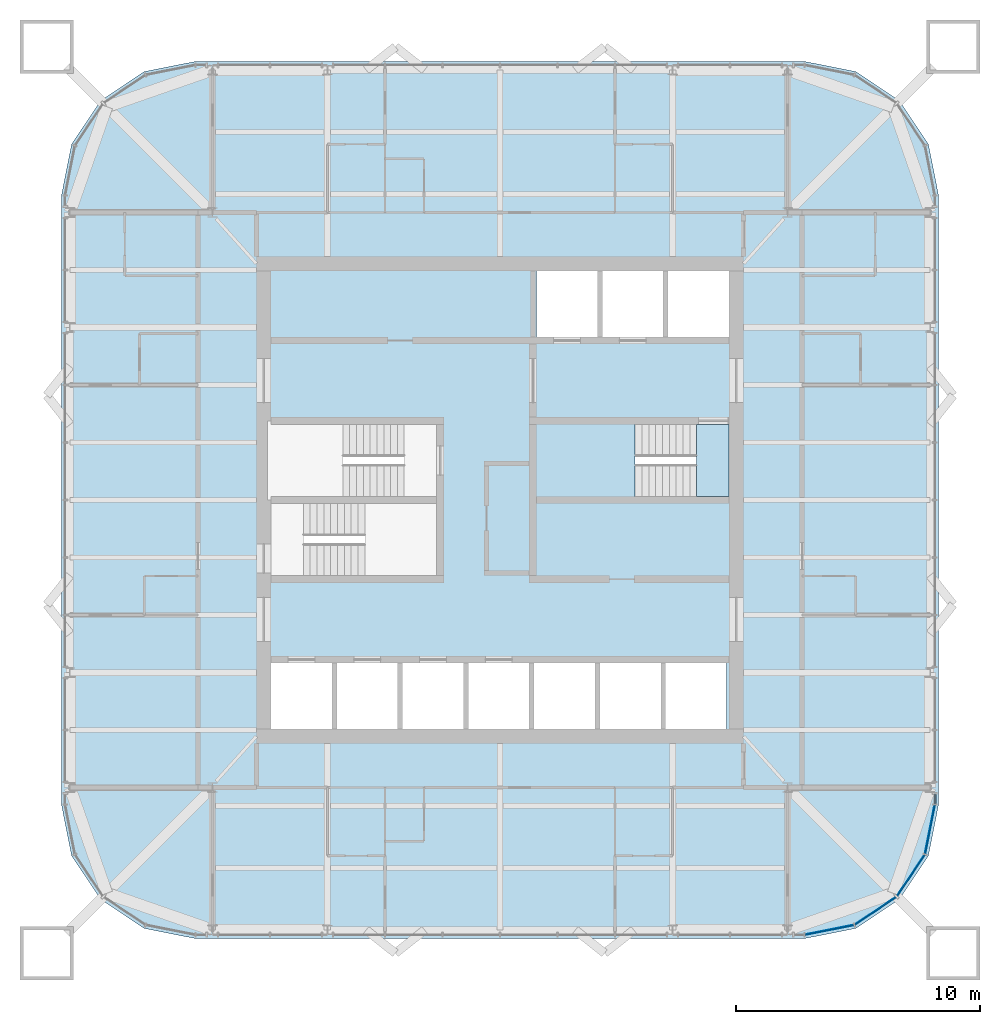
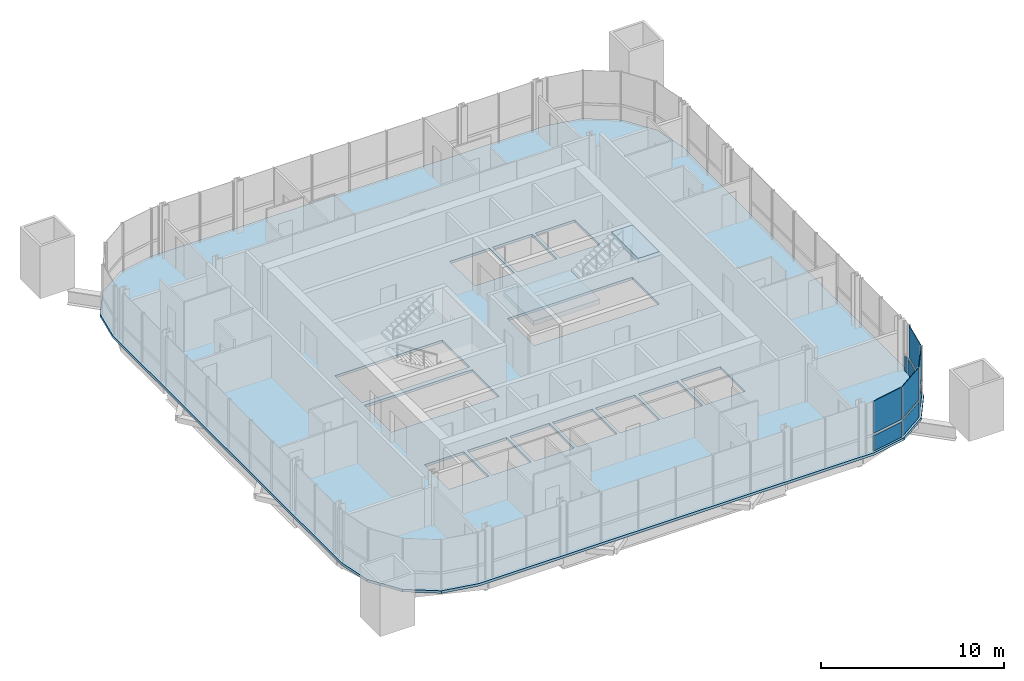
# One storey, part 10 of 17: 9 plates, 3 slabs, 3 elements without a shape of their own.
"""IFC4 building model written with IfcOpenShell, lengths in metres."""

from ifc_helpers import new_model, si_unit, direction, frame, origin, origin_2d, place, context, subcontext, project, spatial, polyline, rectangle, outline, extrude, material, layer, layer_set, type_object, element, aggregate, save


model = new_model("IFC4")

# Units and contexts
model_context = context("Model", 3, precision=1e-05, world=origin(), true_north=direction((0.0, 1.0)))
body_context = subcontext(model_context, "Body", "Model", "MODEL_VIEW")
ifc_project = project(units=[si_unit("LENGTHUNIT", "METRE"), si_unit("AREAUNIT", "SQUARE_METRE"), si_unit("VOLUMEUNIT", "CUBIC_METRE"), si_unit("PLANEANGLEUNIT", "RADIAN"), si_unit("MASSUNIT", "GRAM", prefix="KILO")], contexts=[model_context])

# Site, building, storey
site_placement = place(None, origin())
site = spatial("IfcSite", under=ifc_project, at=site_placement, CompositionType="ELEMENT")
building_placement = place(site_placement, origin())
building = spatial("IfcBuilding", under=site, at=building_placement, Name="Turquesa Mirador Hotel Tower", CompositionType="ELEMENT")
storey_placement = place(building_placement, frame((0.0, 0.0, 254.699951171875)))
storey = spatial("IfcBuildingStorey", under=building, at=storey_placement, Name="L69", CompositionType="ELEMENT", Elevation=254.699951171875)

# Slab
ifc_material_1 = material(Name="Concrete C28/35", Category="concrete")
ifc_layer_1 = layer(ifc_material_1, 0.169921875)
ifc_layer_set_1 = layer_set([ifc_layer_1], Name="COMPOSITE FLOOR SLAB 170")
slab_type_1 = type_object("IfcSlabType", Name="COMPOSITE FLOOR SLAB 170", PredefinedType="FLOOR", material=ifc_layer_set_1)
slab_1_placement = place(storey_placement, frame((0.0, 0.0, -0.169921875)))
element("IfcSlab", 1, at=slab_1_placement, inside=storey, type_object=slab_type_1, Name="Floor slab L69", PredefinedType="FLOOR", context=body_context, shape_type="SweptSolid", body=[
    extrude(outline(polyline([(67.5, 27.0), (69.604736328125, 27.418701171875), (71.38916015625, 28.61083984375), (72.581298828125, 30.395263671875), (73.0, 32.5), (73.0, 57.5), (72.581298828125, 59.604736328125), (71.38916015625, 61.38916015625), (69.604736328125, 62.581298828125), (67.5, 63.0), (42.5, 63.0), (40.395263671875, 62.581298828125), (38.61083984375, 61.38916015625), (37.418701171875, 59.604736328125), (37.0, 57.5), (37.0, 32.5), (37.418701171875, 30.395263671875), (38.61083984375, 28.61083984375), (40.395263671875, 27.418701171875), (42.5, 27.0), (67.5, 27.0)]), holes=[polyline([(56.5, 51.699951171875), (59.0, 51.699951171875), (59.0, 54.39990234375), (56.5, 54.39990234375), (56.5, 51.699951171875)]), polyline([(59.199951171875, 51.699951171875), (61.699951171875, 51.699951171875), (61.699951171875, 54.39990234375), (59.199951171875, 54.39990234375), (59.199951171875, 51.699951171875)]), polyline([(45.60009765625, 35.60009765625), (48.10009765625, 35.60009765625), (48.10009765625, 38.300048828125), (45.60009765625, 38.300048828125), (45.60009765625, 35.60009765625)]), polyline([(48.300048828125, 35.60009765625), (50.800048828125, 35.60009765625), (50.800048828125, 38.300048828125), (48.300048828125, 38.300048828125), (48.300048828125, 35.60009765625)]), polyline([(51.0, 35.60009765625), (53.5, 35.60009765625), (53.5, 38.300048828125), (51.0, 38.300048828125), (51.0, 35.60009765625)]), polyline([(53.699951171875, 35.60009765625), (56.199951171875, 35.60009765625), (56.199951171875, 38.300048828125), (53.699951171875, 38.300048828125), (53.699951171875, 35.60009765625)]), polyline([(56.39990234375, 35.60009765625), (58.89990234375, 35.60009765625), (58.89990234375, 38.300048828125), (56.39990234375, 38.300048828125), (56.39990234375, 35.60009765625)]), polyline([(59.10009765625, 35.60009765625), (61.60009765625, 35.60009765625), (61.60009765625, 38.300048828125), (59.10009765625, 38.300048828125), (59.10009765625, 35.60009765625)]), polyline([(61.800048828125, 35.60009765625), (64.300048828125, 35.60009765625), (64.300048828125, 38.300048828125), (61.800048828125, 38.300048828125), (61.800048828125, 35.60009765625)]), polyline([(45.60009765625, 45.14990234375), (52.39990234375, 45.14990234375), (52.39990234375, 48.10009765625), (45.60009765625, 48.10009765625), (45.60009765625, 45.14990234375)]), polyline([(45.60009765625, 41.89990234375), (52.39990234375, 41.89990234375), (52.39990234375, 44.85009765625), (45.60009765625, 44.85009765625), (45.60009765625, 41.89990234375)]), polyline([(56.5, 45.14990234375), (64.39990234375, 45.14990234375), (64.39990234375, 48.10009765625), (56.5, 48.10009765625), (56.5, 45.14990234375)]), polyline([(61.89990234375, 51.699951171875), (64.39990234375, 51.699951171875), (64.39990234375, 54.39990234375), (61.89990234375, 54.39990234375), (61.89990234375, 51.699951171875)])]), origin(), (0.0, 0.0, 1.0), 0.169921875),
])

# Curtain wall, plates
ifc_material_2 = material(Name="Aluminium extrusion", Category="aluminium")
curtain_wall_type = type_object("IfcCurtainWallType", Name="CW-4 SUITE FRITTED CURTAIN WALL", PredefinedType="USERDEFINED", material=ifc_material_2)
curtain_wall_1_placement = place(storey_placement, origin())
curtain_wall_1 = element("IfcCurtainWall", 2, at=curtain_wall_1_placement, inside=storey, type_object=curtain_wall_type, Name="CW-4 SUITE FRITTED CURTAIN WALL L69", ObjectType="CURTAIN WALL", PredefinedType="USERDEFINED")
ifc_material_3 = material(Name="Ceramic-printed spandrel glass on an insulated back pan", Category="glass")
ifc_layer_2 = layer(ifc_material_3, 0.050048828125)
ifc_layer_set_2 = layer_set([ifc_layer_2], Name="CW PANEL SPANDREL CERAMIC")
plate_type_1 = type_object("IfcPlateType", Name="CW PANEL SPANDREL CERAMIC", PredefinedType="CURTAIN_PANEL", material=ifc_layer_set_2)
plate_1_placement = place(storey_placement, frame((68.523681640625, 27.353515625, 0.0), z_axis=(0.0, 0.0, 1.0), x_axis=(0.980785228048, 0.195090585221, 0.0)))
plate_1 = element("IfcPlate", 3, at=plate_1_placement, type_object=plate_type_1, Name="Panel", PredefinedType="CURTAIN_PANEL", context=body_context, shape_type="SweptSolid", body=[
    extrude(rectangle(XDim=2.0224609375, YDim=0.050048828125, at=origin_2d()), origin(), (0.0, 0.0, 1.0), 1.02490234375),
])
plate_2_placement = place(storey_placement, frame((70.415283203125, 28.13720703125, 0.0), z_axis=(0.0, 0.0, 1.0), x_axis=(0.831469673284, 0.555570141754, 0.0)))
plate_2 = element("IfcPlate", 4, at=plate_2_placement, type_object=plate_type_1, Name="Panel", PredefinedType="CURTAIN_PANEL", context=body_context, shape_type="SweptSolid", body=[
    extrude(rectangle(XDim=2.0224609375, YDim=0.050048828125, at=origin_2d()), origin(), (0.0, 0.0, 1.0), 1.02490234375),
])
plate_3_placement = place(storey_placement, frame((71.86279296875, 29.584716796875, 0.0), z_axis=(0.0, 0.0, 1.0), x_axis=(0.555570141754, 0.831469673284, 0.0)))
plate_3 = element("IfcPlate", 5, at=plate_3_placement, type_object=plate_type_1, Name="Panel", PredefinedType="CURTAIN_PANEL", context=body_context, shape_type="SweptSolid", body=[
    extrude(rectangle(XDim=2.0224609375, YDim=0.050048828125, at=origin_2d()), origin(), (0.0, 0.0, 1.0), 1.02490234375),
])
plate_4_placement = place(storey_placement, frame((72.646484375, 31.476318359375, 0.0), z_axis=(0.0, 0.0, 1.0), x_axis=(0.195090585221, 0.980785228048, 0.0)))
plate_4 = element("IfcPlate", 6, at=plate_4_placement, type_object=plate_type_1, Name="Panel", PredefinedType="CURTAIN_PANEL", context=body_context, shape_type="SweptSolid", body=[
    extrude(rectangle(XDim=2.0224609375, YDim=0.050048828125, at=origin_2d()), origin(), (0.0, 0.0, 1.0), 1.02490234375),
])

# Curtain wall, plate
curtain_wall_2_placement = place(storey_placement, origin())
curtain_wall_2 = element("IfcCurtainWall", 7, at=curtain_wall_2_placement, inside=storey, type_object=curtain_wall_type, Name="CW-4 SUITE FRITTED CURTAIN WALL L69", ObjectType="CURTAIN WALL", PredefinedType="USERDEFINED")
plate_5_placement = place(storey_placement, frame((72.85009765625, 32.733154296875, 0.0), z_axis=(0.0, 0.0, 1.0), x_axis=(0.0, 1.0, 0.0)))
plate_5 = element("IfcPlate", 8, at=plate_5_placement, type_object=plate_type_1, Name="Panel", PredefinedType="CURTAIN_PANEL", context=body_context, shape_type="SweptSolid", body=[
    extrude(rectangle(XDim=0.401123046875, YDim=0.050048828125, at=origin_2d()), origin(), (0.0, 0.0, 1.0), 1.02490234375),
])
aggregate(curtain_wall_2, [plate_5])

# Plate
ifc_material_4 = material(Name="Ceramic-fritted laminated glass", Category="glass")
ifc_layer_3 = layer(ifc_material_4, 0.031982421875)
ifc_layer_set_3 = layer_set([ifc_layer_3], Name="CW PANEL VISION FRITTED")
plate_type_2 = type_object("IfcPlateType", Name="CW PANEL VISION FRITTED", PredefinedType="CURTAIN_PANEL", material=ifc_layer_set_3)
plate_6_placement = place(storey_placement, frame((68.523681640625, 27.353515625, 1.1748046875), z_axis=(0.0, 0.0, 1.0), x_axis=(0.980785228048, 0.195090585221, 0.0)))
plate_6 = element("IfcPlate", 9, at=plate_6_placement, type_object=plate_type_2, Name="Panel", PredefinedType="CURTAIN_PANEL", context=body_context, shape_type="SweptSolid", body=[
    extrude(rectangle(XDim=2.0224609375, YDim=0.031982421875, at=origin_2d()), origin(), (0.0, 0.0, 1.0), 2.155029296875),
])

plate_7_placement = place(storey_placement, frame((70.415283203125, 28.13720703125, 1.1748046875), z_axis=(0.0, 0.0, 1.0), x_axis=(0.831469673284, 0.555570141754, 0.0)))
plate_7 = element("IfcPlate", 10, at=plate_7_placement, type_object=plate_type_2, Name="Panel", PredefinedType="CURTAIN_PANEL", context=body_context, shape_type="SweptSolid", body=[
    extrude(rectangle(XDim=2.0224609375, YDim=0.031982421875, at=origin_2d()), origin(), (0.0, 0.0, 1.0), 2.155029296875),
])

plate_8_placement = place(storey_placement, frame((71.86279296875, 29.584716796875, 1.1748046875), z_axis=(0.0, 0.0, 1.0), x_axis=(0.555570141754, 0.831469673284, 0.0)))
plate_8 = element("IfcPlate", 11, at=plate_8_placement, type_object=plate_type_2, Name="Panel", PredefinedType="CURTAIN_PANEL", context=body_context, shape_type="SweptSolid", body=[
    extrude(rectangle(XDim=2.0224609375, YDim=0.031982421875, at=origin_2d()), origin(), (0.0, 0.0, 1.0), 2.155029296875),
])

plate_9_placement = place(storey_placement, frame((72.646484375, 31.476318359375, 1.1748046875), z_axis=(0.0, 0.0, 1.0), x_axis=(0.195090585221, 0.980785228048, 0.0)))
plate_9 = element("IfcPlate", 12, at=plate_9_placement, type_object=plate_type_2, Name="Panel", PredefinedType="CURTAIN_PANEL", context=body_context, shape_type="SweptSolid", body=[
    extrude(rectangle(XDim=2.0224609375, YDim=0.031982421875, at=origin_2d()), origin(), (0.0, 0.0, 1.0), 2.155029296875),
])

aggregate(curtain_wall_1, [plate_1, plate_6, plate_2, plate_7, plate_3, plate_8, plate_4, plate_9])

# Stair, slabs
ifc_material_5 = material(Name="Concrete C35/45", Category="concrete")
stair_type = type_object("IfcStairType", Name="ESCAPE STAIR CORE", PredefinedType="HALF_TURN_STAIR", material=ifc_material_5)
stair_placement = place(storey_placement, origin())
stair = element("IfcStair", 13, at=stair_placement, inside=storey, type_object=stair_type, Name="Stair ST3 L69 to L70", PredefinedType="HALF_TURN_STAIR")
ifc_material_6 = material(Name="Concrete C35/45", Category="concrete")
ifc_layer_4 = layer(ifc_material_6, 0.300048828125)
ifc_layer_set_4 = layer_set([ifc_layer_4], Name="STAIR LANDING 300")
slab_type_2 = type_object("IfcSlabType", Name="STAIR LANDING 300", PredefinedType="LANDING", material=ifc_layer_set_4)
slab_2_placement = place(storey_placement, frame((0.0, 0.0, 1.449951171875)))
slab_2 = element("IfcSlab", 14, at=slab_2_placement, type_object=slab_type_2, Name="ST3 landing 1", PredefinedType="LANDING", context=body_context, shape_type="SweptSolid", body=[
    extrude(outline(polyline([(56.35009765625, 45.0), (60.550048828125, 45.0), (60.550048828125, 48.25), (56.35009765625, 48.25), (56.35009765625, 45.0)])), origin(), (0.0, 0.0, 1.0), 0.300048828125),
])
slab_3_placement = place(storey_placement, frame((0.0, 0.0, 3.199951171875)))
slab_3 = element("IfcSlab", 15, at=slab_3_placement, type_object=slab_type_2, Name="ST3 landing 2", PredefinedType="LANDING", context=body_context, shape_type="SweptSolid", body=[
    extrude(outline(polyline([(63.070068359375, 45.14990234375), (64.39990234375, 45.14990234375), (64.39990234375, 48.10009765625), (63.070068359375, 48.10009765625), (63.070068359375, 45.14990234375)])), origin(), (0.0, 0.0, 1.0), 0.300048828125),
])
aggregate(stair, [slab_2, slab_3])

save(model, "model.ifc")
